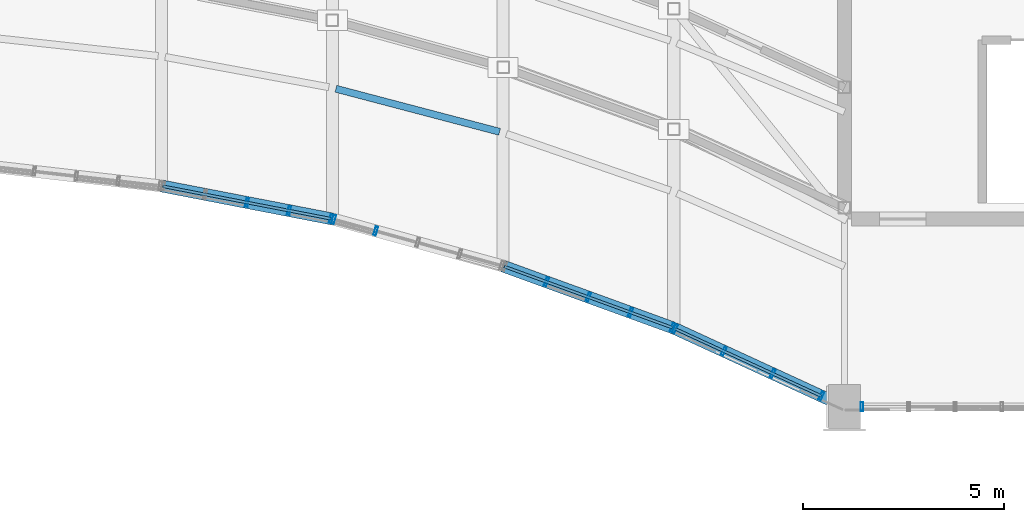
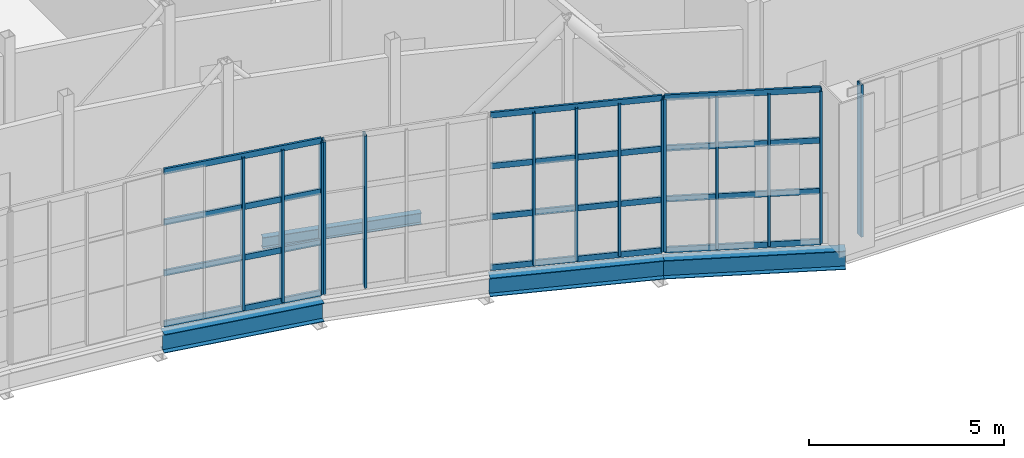
# One storey, part 21 of 66: 26 members, 4 beams, 5 elements without a shape of their own.
"""IFC4 building model written with IfcOpenShell, lengths in metres."""

from ifc_helpers import new_model, si_unit, direction, frame, origin, origin_2d, place, context, subcontext, project, spatial, hollow_rectangle, i_section, extrude, material, material_profile, profile_set, type_object, element, aggregate, save


model = new_model("IFC4")

# Units and contexts
model_context = context("Model", 3, precision=1e-05, world=origin(), true_north=direction((0.0, 1.0)))
body_context = subcontext(model_context, "Body", "Model", "MODEL_VIEW")
ifc_project = project(units=[si_unit("LENGTHUNIT", "METRE"), si_unit("AREAUNIT", "SQUARE_METRE"), si_unit("VOLUMEUNIT", "CUBIC_METRE"), si_unit("PLANEANGLEUNIT", "RADIAN"), si_unit("MASSUNIT", "GRAM", prefix="KILO")], contexts=[model_context])

# Site, building, storey
site_placement = place(None, origin())
site = spatial("IfcSite", under=ifc_project, at=site_placement, CompositionType="ELEMENT")
building_placement = place(site_placement, origin())
building = spatial("IfcBuilding", under=site, at=building_placement, Name="Solvikara Media Centre", CompositionType="ELEMENT")
storey_placement = place(building_placement, frame((0.0, 0.0, 19.800048828125)))
storey = spatial("IfcBuildingStorey", under=building, at=storey_placement, Name="L04", CompositionType="ELEMENT", Elevation=19.800048828125)

# Beams
ifc_material_1 = material(Name="Steel S355JR", Category="steel")
ifc_material_profile_1 = material_profile(ifc_material_1, i_section(OverallWidth=0.175048828125, OverallDepth=0.35009765625, WebThickness=0.007080078125, FlangeThickness=0.010986328125, at=origin_2d()), Name="WF 350x175x7x11")
ifc_profile_set_1 = profile_set([ifc_material_profile_1], Name="Steel S355JR")
beam_type_1 = type_object("IfcBeamType", Name="BM-22", PredefinedType="JOIST", material=ifc_profile_set_1)
beam_1_placement = place(storey_placement, frame((114.8369140625, 27.239990234375, -0.39697265625), z_axis=(0.967112792727, -0.254347884096, 0.0), x_axis=(0.254347884096, 0.967112792727, 0.0)))
element("IfcBeam", 1, at=beam_1_placement, inside=storey, type_object=beam_type_1, Name="BJ-L04-09-20", PredefinedType="JOIST", context=body_context, shape_type="SweptSolid", body=[
    extrude(i_section(OverallWidth=0.175048828125, OverallDepth=0.35009765625, WebThickness=0.007080078125, FlangeThickness=0.010986328125, at=origin_2d()), origin(), (0.0, 0.0, 1.0), 4.21484375),
])
ifc_material_profile_2 = material_profile(ifc_material_1, i_section(OverallWidth=0.300048828125, OverallDepth=0.58203125, WebThickness=0.011962890625, FlangeThickness=0.01708984375, at=origin_2d()), Name="WF 582x300x12x17")
ifc_profile_set_2 = profile_set([ifc_material_profile_2], Name="Steel S355JR")
beam_type_2 = type_object("IfcBeamType", Name="BM-31", PredefinedType="SPANDREL", material=ifc_profile_set_2)
beam_2_placement = place(storey_placement, frame((110.5, 24.818115234375, -0.512939453125), z_axis=(0.981803941213, -0.189897396029, 0.0), x_axis=(0.189897396029, 0.981803941213, 0.0)))
element("IfcBeam", 2, at=beam_2_placement, inside=storey, type_object=beam_type_2, Name="B-L04-SARC-08", PredefinedType="SPANDREL", context=body_context, shape_type="SweptSolid", body=[
    extrude(i_section(OverallWidth=0.300048828125, OverallDepth=0.58203125, WebThickness=0.011962890625, FlangeThickness=0.01708984375, at=origin_2d()), origin(), (0.0, 0.0, 1.0), 4.328857421875),
])
beam_3_placement = place(storey_placement, frame((119.0, 22.823974609375, -0.512939453125), z_axis=(0.939831249065, -0.341639024821, 0.0), x_axis=(0.341639024821, 0.939831249065, 0.0)))
element("IfcBeam", 3, at=beam_3_placement, inside=storey, type_object=beam_type_2, Name="B-L04-SARC-10", PredefinedType="SPANDREL", context=body_context, shape_type="SweptSolid", body=[
    extrude(i_section(OverallWidth=0.300048828125, OverallDepth=0.58203125, WebThickness=0.011962890625, FlangeThickness=0.01708984375, at=origin_2d()), origin(), (0.0, 0.0, 1.0), 4.52197265625),
])
beam_4_placement = place(storey_placement, frame((123.25, 21.279052734375, -0.512939453125), z_axis=(0.908484112169, -0.417919391673, 0.0), x_axis=(0.417919391673, 0.908484112169, 0.0)))
element("IfcBeam", 4, at=beam_4_placement, inside=storey, type_object=beam_type_2, Name="B-L04-SARC-11", PredefinedType="SPANDREL", context=body_context, shape_type="SweptSolid", body=[
    extrude(i_section(OverallWidth=0.300048828125, OverallDepth=0.58203125, WebThickness=0.011962890625, FlangeThickness=0.01708984375, at=origin_2d()), origin(), (0.0, 0.0, 1.0), 4.67822265625),
])

# Curtain wall, members
ifc_material_2 = material(Name="Anodised aluminium EN AW-6063", Category="aluminium")
curtain_wall_type_1 = type_object("IfcCurtainWallType", Name="CW-01", PredefinedType="NOTDEFINED", material=ifc_material_2)
curtain_wall_1_placement = place(storey_placement, origin())
curtain_wall_1 = element("IfcCurtainWall", 5, at=curtain_wall_1_placement, inside=storey, type_object=curtain_wall_type_1, Name="CW-L04-SARC-08", PredefinedType="NOTDEFINED")
ifc_material_profile_3 = material_profile(ifc_material_2, hollow_rectangle(XDim=0.06494140625, YDim=0.219970703125, WallThickness=0.00390625, at=origin_2d()), Name="ALU-M 65x220x4")
ifc_profile_set_3 = profile_set([ifc_material_profile_3], Name="Anodised aluminium EN AW-6063")
member_type_1 = type_object("IfcMemberType", Name="MF-01", PredefinedType="MULLION", material=ifc_profile_set_3)
member_1_placement = place(storey_placement, frame((112.625, 24.406982421875, 0.02001953125), z_axis=(0.0, 0.0, 1.0), x_axis=(0.981843017659, -0.189695252114, 0.0)))
member_1 = element("IfcMember", 6, at=member_1_placement, type_object=member_type_1, Name="CW-L04-SARC-08-M02", PredefinedType="MULLION", context=body_context, shape_type="SweptSolid", body=[
    extrude(hollow_rectangle(XDim=0.06494140625, YDim=0.219970703125, WallThickness=0.00390625, at=origin_2d()), origin(), (0.0, 0.0, 1.0), 4.760009765625),
])
member_2_placement = place(storey_placement, frame((113.6708984375, 24.205078125, 0.02001953125), z_axis=(0.0, 0.0, 1.0), x_axis=(0.981843017659, -0.189695252114, 0.0)))
member_2 = element("IfcMember", 7, at=member_2_placement, type_object=member_type_1, Name="CW-L04-SARC-08-M03", PredefinedType="MULLION", context=body_context, shape_type="SweptSolid", body=[
    extrude(hollow_rectangle(XDim=0.06494140625, YDim=0.219970703125, WallThickness=0.00390625, at=origin_2d()), origin(), (0.0, 0.0, 1.0), 4.760009765625),
])
member_3_placement = place(storey_placement, frame((114.716064453125, 24.0029296875, 0.02001953125), z_axis=(0.0, 0.0, 1.0), x_axis=(0.981843017659, -0.189695252114, 0.0)))
member_3 = element("IfcMember", 8, at=member_3_placement, type_object=member_type_1, Name="CW-L04-SARC-08-M04", PredefinedType="MULLION", context=body_context, shape_type="SweptSolid", body=[
    extrude(hollow_rectangle(XDim=0.06494140625, YDim=0.219970703125, WallThickness=0.00390625, at=origin_2d()), origin(), (0.0, 0.0, 1.0), 4.760009765625),
])

curtain_wall_2_placement = place(storey_placement, origin())
curtain_wall_2 = element("IfcCurtainWall", 9, at=curtain_wall_2_placement, inside=storey, type_object=curtain_wall_type_1, Name="CW-L04-SARC-09", PredefinedType="NOTDEFINED")
member_4_placement = place(storey_placement, frame((114.783935546875, 23.987060546875, 0.02001953125), z_axis=(0.0, 0.0, 1.0), x_axis=(0.96397015682, -0.26601040724, 0.0)))
member_4 = element("IfcMember", 10, at=member_4_placement, type_object=member_type_1, Name="CW-L04-SARC-09-M00", PredefinedType="MULLION", context=body_context, shape_type="SweptSolid", body=[
    extrude(hollow_rectangle(XDim=0.06494140625, YDim=0.219970703125, WallThickness=0.00390625, at=origin_2d()), origin(), (0.0, 0.0, 1.0), 4.760009765625),
])
member_5_placement = place(storey_placement, frame((115.830078125, 23.697998046875, 0.02001953125), z_axis=(0.0, 0.0, 1.0), x_axis=(0.96397015682, -0.26601040724, 0.0)))
member_5 = element("IfcMember", 11, at=member_5_placement, type_object=member_type_1, Name="CW-L04-SARC-09-M01", PredefinedType="MULLION", context=body_context, shape_type="SweptSolid", body=[
    extrude(hollow_rectangle(XDim=0.06494140625, YDim=0.219970703125, WallThickness=0.00390625, at=origin_2d()), origin(), (0.0, 0.0, 1.0), 4.760009765625),
])
aggregate(curtain_wall_2, [member_4, member_5])

curtain_wall_3_placement = place(storey_placement, origin())
curtain_wall_3 = element("IfcCurtainWall", 12, at=curtain_wall_3_placement, inside=storey, type_object=curtain_wall_type_1, Name="CW-L04-SARC-10", PredefinedType="NOTDEFINED")
member_6_placement = place(storey_placement, frame((120.0791015625, 22.431884765625, 0.02001953125), z_axis=(0.0, 0.0, 1.0), x_axis=(0.939823877818, -0.341659302058, 0.0)))
member_6 = element("IfcMember", 13, at=member_6_placement, type_object=member_type_1, Name="CW-L04-SARC-10-M01", PredefinedType="MULLION", context=body_context, shape_type="SweptSolid", body=[
    extrude(hollow_rectangle(XDim=0.06494140625, YDim=0.219970703125, WallThickness=0.00390625, at=origin_2d()), origin(), (0.0, 0.0, 1.0), 4.760009765625),
])
member_7_placement = place(storey_placement, frame((121.125, 22.051025390625, 0.02001953125), z_axis=(0.0, 0.0, 1.0), x_axis=(0.939823877818, -0.341659302058, 0.0)))
member_7 = element("IfcMember", 14, at=member_7_placement, type_object=member_type_1, Name="CW-L04-SARC-10-M02", PredefinedType="MULLION", context=body_context, shape_type="SweptSolid", body=[
    extrude(hollow_rectangle(XDim=0.06494140625, YDim=0.219970703125, WallThickness=0.00390625, at=origin_2d()), origin(), (0.0, 0.0, 1.0), 4.760009765625),
])
member_8_placement = place(storey_placement, frame((122.1708984375, 21.6708984375, 0.02001953125), z_axis=(0.0, 0.0, 1.0), x_axis=(0.939823877818, -0.341659302058, 0.0)))
member_8 = element("IfcMember", 15, at=member_8_placement, type_object=member_type_1, Name="CW-L04-SARC-10-M03", PredefinedType="MULLION", context=body_context, shape_type="SweptSolid", body=[
    extrude(hollow_rectangle(XDim=0.06494140625, YDim=0.219970703125, WallThickness=0.00390625, at=origin_2d()), origin(), (0.0, 0.0, 1.0), 4.760009765625),
])
member_9_placement = place(storey_placement, frame((123.217041015625, 21.291015625, 0.02001953125), z_axis=(0.0, 0.0, 1.0), x_axis=(0.939823877818, -0.341659302058, 0.0)))
member_9 = element("IfcMember", 16, at=member_9_placement, type_object=member_type_1, Name="CW-L04-SARC-10-M04", PredefinedType="MULLION", context=body_context, shape_type="SweptSolid", body=[
    extrude(hollow_rectangle(XDim=0.06494140625, YDim=0.219970703125, WallThickness=0.00390625, at=origin_2d()), origin(), (0.0, 0.0, 1.0), 4.760009765625),
])

curtain_wall_4_placement = place(storey_placement, origin())
curtain_wall_4 = element("IfcCurtainWall", 17, at=curtain_wall_4_placement, inside=storey, type_object=curtain_wall_type_1, Name="CW-L04-SARC-11", PredefinedType="NOTDEFINED")
member_10_placement = place(storey_placement, frame((123.281982421875, 21.263916015625, 0.02001953125), z_axis=(0.0, 0.0, 1.0), x_axis=(0.908566513921, -0.417740218056, 0.0)))
member_10 = element("IfcMember", 18, at=member_10_placement, type_object=member_type_1, Name="CW-L04-SARC-11-M00", PredefinedType="MULLION", context=body_context, shape_type="SweptSolid", body=[
    extrude(hollow_rectangle(XDim=0.06494140625, YDim=0.219970703125, WallThickness=0.00390625, at=origin_2d()), origin(), (0.0, 0.0, 1.0), 4.760009765625),
])
member_11_placement = place(storey_placement, frame((124.4970703125, 20.705078125, 0.02001953125), z_axis=(0.0, 0.0, 1.0), x_axis=(0.908566513921, -0.417740218056, 0.0)))
member_11 = element("IfcMember", 19, at=member_11_placement, type_object=member_type_1, Name="CW-L04-SARC-11-M01", PredefinedType="MULLION", context=body_context, shape_type="SweptSolid", body=[
    extrude(hollow_rectangle(XDim=0.06494140625, YDim=0.219970703125, WallThickness=0.00390625, at=origin_2d()), origin(), (0.0, 0.0, 1.0), 4.760009765625),
])
member_12_placement = place(storey_placement, frame((125.7109375, 20.14697265625, 0.02001953125), z_axis=(0.0, 0.0, 1.0), x_axis=(0.908566513921, -0.417740218056, 0.0)))
member_12 = element("IfcMember", 20, at=member_12_placement, type_object=member_type_1, Name="CW-L04-SARC-11-M02", PredefinedType="MULLION", context=body_context, shape_type="SweptSolid", body=[
    extrude(hollow_rectangle(XDim=0.06494140625, YDim=0.219970703125, WallThickness=0.00390625, at=origin_2d()), origin(), (0.0, 0.0, 1.0), 4.760009765625),
])
member_13_placement = place(storey_placement, frame((126.925048828125, 19.589111328125, 0.02001953125), z_axis=(0.0, 0.0, 1.0), x_axis=(0.908566513921, -0.417740218056, 0.0)))
member_13 = element("IfcMember", 21, at=member_13_placement, type_object=member_type_1, Name="CW-L04-SARC-11-M03", PredefinedType="MULLION", context=body_context, shape_type="SweptSolid", body=[
    extrude(hollow_rectangle(XDim=0.06494140625, YDim=0.219970703125, WallThickness=0.00390625, at=origin_2d()), origin(), (0.0, 0.0, 1.0), 4.760009765625),
])

# Curtain wall, member
curtain_wall_type_2 = type_object("IfcCurtainWallType", Name="CW-10", PredefinedType="NOTDEFINED", material=ifc_material_2)
curtain_wall_5_placement = place(storey_placement, origin())
curtain_wall_5 = element("IfcCurtainWall", 22, at=curtain_wall_5_placement, inside=storey, type_object=curtain_wall_type_2, Name="CW-L04-BHES", PredefinedType="NOTDEFINED")
member_14_placement = place(storey_placement, frame((127.93994140625, 19.323974609375, 0.02001953125), z_axis=(0.0, 0.0, 1.0), x_axis=(1.0, 0.0, 0.0)))
member_14 = element("IfcMember", 23, at=member_14_placement, type_object=member_type_1, Name="CW-L04-BHES-M00", PredefinedType="MULLION", context=body_context, shape_type="SweptSolid", body=[
    extrude(hollow_rectangle(XDim=0.06494140625, YDim=0.219970703125, WallThickness=0.00390625, at=origin_2d()), origin(), (0.0, 0.0, 1.0), 4.760009765625),
])
aggregate(curtain_wall_5, [member_14])

# Member
ifc_material_profile_4 = material_profile(ifc_material_2, hollow_rectangle(XDim=0.06494140625, YDim=0.179931640625, WallThickness=0.00341796875, at=origin_2d()), Name="ALU-T 65x180x3.5")
ifc_profile_set_4 = profile_set([ifc_material_profile_4], Name="Anodised aluminium EN AW-6063")
member_type_2 = type_object("IfcMemberType", Name="MF-07", PredefinedType="USERDEFINED", material=ifc_profile_set_4)
member_15_placement = place(storey_placement, frame((110.533935546875, 24.81103515625, 0.02001953125), z_axis=(0.981838442996, -0.189718928565, 0.0), x_axis=(0.189718928565, 0.981838442996, 0.0)))
member_15 = element("IfcMember", 24, at=member_15_placement, type_object=member_type_2, Name="CW-L04-SARC-08-T00", ObjectType="TRANSOM", PredefinedType="USERDEFINED", context=body_context, shape_type="SweptSolid", body=[
    extrude(hollow_rectangle(XDim=0.06494140625, YDim=0.179931640625, WallThickness=0.00341796875, at=origin_2d()), origin(), (0.0, 0.0, 1.0), 4.259521484375),
])

member_16_placement = place(storey_placement, frame((110.533935546875, 24.81103515625, 1.60693359375), z_axis=(0.981838442996, -0.189718928565, 0.0), x_axis=(0.189718928565, 0.981838442996, 0.0)))
member_16 = element("IfcMember", 25, at=member_16_placement, type_object=member_type_2, Name="CW-L04-SARC-08-T01", ObjectType="TRANSOM", PredefinedType="USERDEFINED", context=body_context, shape_type="SweptSolid", body=[
    extrude(hollow_rectangle(XDim=0.06494140625, YDim=0.179931640625, WallThickness=0.00341796875, at=origin_2d()), origin(), (0.0, 0.0, 1.0), 4.259521484375),
])

member_17_placement = place(storey_placement, frame((110.533935546875, 24.81103515625, 3.19287109375), z_axis=(0.981838442996, -0.189718928565, 0.0), x_axis=(0.189718928565, 0.981838442996, 0.0)))
member_17 = element("IfcMember", 26, at=member_17_placement, type_object=member_type_2, Name="CW-L04-SARC-08-T02", ObjectType="TRANSOM", PredefinedType="USERDEFINED", context=body_context, shape_type="SweptSolid", body=[
    extrude(hollow_rectangle(XDim=0.06494140625, YDim=0.179931640625, WallThickness=0.00341796875, at=origin_2d()), origin(), (0.0, 0.0, 1.0), 4.259521484375),
])

member_18_placement = place(storey_placement, frame((110.533935546875, 24.81103515625, 4.780029296875), z_axis=(0.981838442996, -0.189718928565, 0.0), x_axis=(0.189718928565, 0.981838442996, 0.0)))
member_18 = element("IfcMember", 27, at=member_18_placement, type_object=member_type_2, Name="CW-L04-SARC-08-T03", ObjectType="TRANSOM", PredefinedType="USERDEFINED", context=body_context, shape_type="SweptSolid", body=[
    extrude(hollow_rectangle(XDim=0.06494140625, YDim=0.179931640625, WallThickness=0.00341796875, at=origin_2d()), origin(), (0.0, 0.0, 1.0), 4.259521484375),
])

aggregate(curtain_wall_1, [member_1, member_2, member_3, member_15, member_16, member_17, member_18])

member_19_placement = place(storey_placement, frame((119.032958984375, 22.81201171875, 0.02001953125), z_axis=(0.939828643467, -0.341646192601, 0.0), x_axis=(0.341646192601, 0.939828643467, 0.0)))
member_19 = element("IfcMember", 28, at=member_19_placement, type_object=member_type_2, Name="CW-L04-SARC-10-T00", ObjectType="TRANSOM", PredefinedType="USERDEFINED", context=body_context, shape_type="SweptSolid", body=[
    extrude(hollow_rectangle(XDim=0.06494140625, YDim=0.179931640625, WallThickness=0.00341796875, at=origin_2d()), origin(), (0.0, 0.0, 1.0), 4.451904296875),
])

member_20_placement = place(storey_placement, frame((119.032958984375, 22.81201171875, 1.60693359375), z_axis=(0.939828643467, -0.341646192601, 0.0), x_axis=(0.341646192601, 0.939828643467, 0.0)))
member_20 = element("IfcMember", 29, at=member_20_placement, type_object=member_type_2, Name="CW-L04-SARC-10-T01", ObjectType="TRANSOM", PredefinedType="USERDEFINED", context=body_context, shape_type="SweptSolid", body=[
    extrude(hollow_rectangle(XDim=0.06494140625, YDim=0.179931640625, WallThickness=0.00341796875, at=origin_2d()), origin(), (0.0, 0.0, 1.0), 4.451904296875),
])

member_21_placement = place(storey_placement, frame((119.032958984375, 22.81201171875, 3.19287109375), z_axis=(0.939828643467, -0.341646192601, 0.0), x_axis=(0.341646192601, 0.939828643467, 0.0)))
member_21 = element("IfcMember", 30, at=member_21_placement, type_object=member_type_2, Name="CW-L04-SARC-10-T02", ObjectType="TRANSOM", PredefinedType="USERDEFINED", context=body_context, shape_type="SweptSolid", body=[
    extrude(hollow_rectangle(XDim=0.06494140625, YDim=0.179931640625, WallThickness=0.00341796875, at=origin_2d()), origin(), (0.0, 0.0, 1.0), 4.451904296875),
])

member_22_placement = place(storey_placement, frame((119.032958984375, 22.81201171875, 4.780029296875), z_axis=(0.939828643467, -0.341646192601, 0.0), x_axis=(0.341646192601, 0.939828643467, 0.0)))
member_22 = element("IfcMember", 31, at=member_22_placement, type_object=member_type_2, Name="CW-L04-SARC-10-T03", ObjectType="TRANSOM", PredefinedType="USERDEFINED", context=body_context, shape_type="SweptSolid", body=[
    extrude(hollow_rectangle(XDim=0.06494140625, YDim=0.179931640625, WallThickness=0.00341796875, at=origin_2d()), origin(), (0.0, 0.0, 1.0), 4.451904296875),
])

aggregate(curtain_wall_3, [member_6, member_7, member_8, member_9, member_19, member_20, member_21, member_22])

member_23_placement = place(storey_placement, frame((123.281982421875, 21.263916015625, 0.02001953125), z_axis=(0.908585672428, -0.417698546633, 0.0), x_axis=(0.417698546633, 0.908585672428, 0.0)))
member_23 = element("IfcMember", 32, at=member_23_placement, type_object=member_type_2, Name="CW-L04-SARC-11-T00", ObjectType="TRANSOM", PredefinedType="USERDEFINED", context=body_context, shape_type="SweptSolid", body=[
    extrude(hollow_rectangle(XDim=0.06494140625, YDim=0.179931640625, WallThickness=0.00341796875, at=origin_2d()), origin(), (0.0, 0.0, 1.0), 4.009521484375),
])

member_24_placement = place(storey_placement, frame((123.281982421875, 21.263916015625, 1.60693359375), z_axis=(0.908585672428, -0.417698546633, 0.0), x_axis=(0.417698546633, 0.908585672428, 0.0)))
member_24 = element("IfcMember", 33, at=member_24_placement, type_object=member_type_2, Name="CW-L04-SARC-11-T01", ObjectType="TRANSOM", PredefinedType="USERDEFINED", context=body_context, shape_type="SweptSolid", body=[
    extrude(hollow_rectangle(XDim=0.06494140625, YDim=0.179931640625, WallThickness=0.00341796875, at=origin_2d()), origin(), (0.0, 0.0, 1.0), 4.009521484375),
])

member_25_placement = place(storey_placement, frame((123.281982421875, 21.263916015625, 3.19287109375), z_axis=(0.908585672428, -0.417698546633, 0.0), x_axis=(0.417698546633, 0.908585672428, 0.0)))
member_25 = element("IfcMember", 34, at=member_25_placement, type_object=member_type_2, Name="CW-L04-SARC-11-T02", ObjectType="TRANSOM", PredefinedType="USERDEFINED", context=body_context, shape_type="SweptSolid", body=[
    extrude(hollow_rectangle(XDim=0.06494140625, YDim=0.179931640625, WallThickness=0.00341796875, at=origin_2d()), origin(), (0.0, 0.0, 1.0), 4.009521484375),
])

member_26_placement = place(storey_placement, frame((123.281982421875, 21.263916015625, 4.780029296875), z_axis=(0.908585672428, -0.417698546633, 0.0), x_axis=(0.417698546633, 0.908585672428, 0.0)))
member_26 = element("IfcMember", 35, at=member_26_placement, type_object=member_type_2, Name="CW-L04-SARC-11-T03", ObjectType="TRANSOM", PredefinedType="USERDEFINED", context=body_context, shape_type="SweptSolid", body=[
    extrude(hollow_rectangle(XDim=0.06494140625, YDim=0.179931640625, WallThickness=0.00341796875, at=origin_2d()), origin(), (0.0, 0.0, 1.0), 4.009521484375),
])

aggregate(curtain_wall_4, [member_10, member_11, member_12, member_13, member_23, member_24, member_25, member_26])

save(model, "model.ifc")
